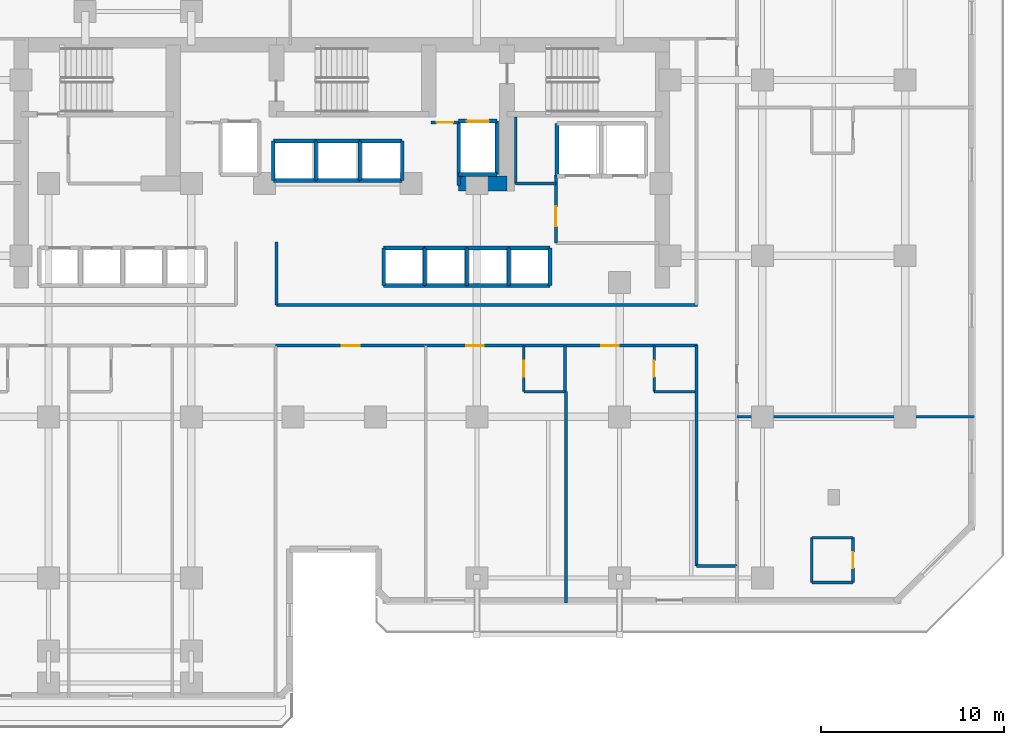
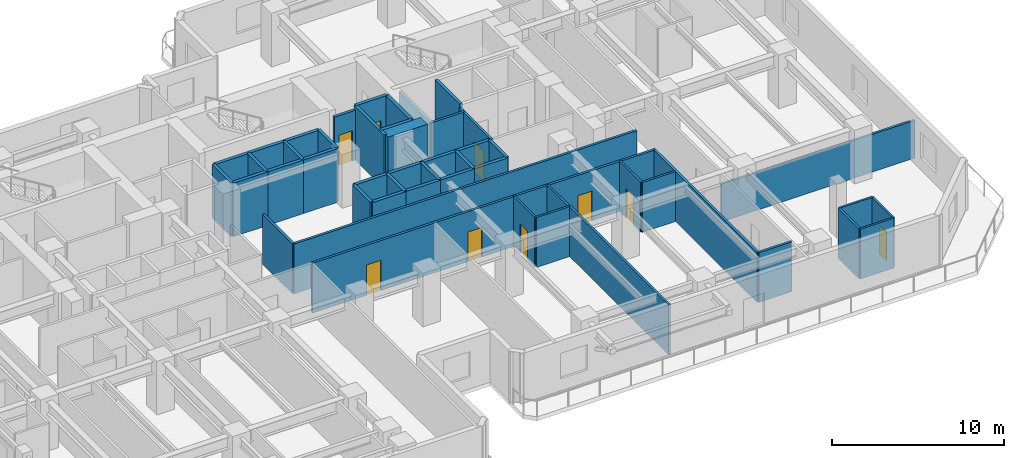
# One storey, part 8 of 12: 49 walls, 9 doors, 9 openings.
"""IFC4 building model written with IfcOpenShell, lengths in metres."""

from ifc_helpers import new_model, si_unit, direction, frame, frame_2d, origin, place, context, subcontext, project, spatial, rectangle, extrude, material, layer, layer_set, type_object, element, fill, save


model = new_model("IFC4")

# Units and contexts
model_context = context("Model", 3, precision=1e-05, world=origin(), true_north=direction((0.0, 1.0)))
body_context = subcontext(model_context, "Body", "Model", "MODEL_VIEW")
ifc_project = project(units=[si_unit("LENGTHUNIT", "METRE"), si_unit("AREAUNIT", "SQUARE_METRE"), si_unit("VOLUMEUNIT", "CUBIC_METRE"), si_unit("PLANEANGLEUNIT", "RADIAN"), si_unit("MASSUNIT", "GRAM", prefix="KILO")], contexts=[model_context])

# Site, building, storey
site_placement = place(None, origin())
site = spatial("IfcSite", under=ifc_project, at=site_placement, CompositionType="ELEMENT")
building_placement = place(site_placement, origin())
building = spatial("IfcBuilding", under=site, at=building_placement, Name="Kestravale Grand Hotel", CompositionType="ELEMENT")
storey_placement = place(building_placement, frame((0.0, 0.0, 80.39990234375)))
storey = spatial("IfcBuildingStorey", under=building, at=storey_placement, Name="L19", CompositionType="ELEMENT", Elevation=80.39990234375)

# Wall
ifc_material_1 = material(Name="Concrete f'c 60 MPa", Category="concrete")
ifc_layer_1 = layer(ifc_material_1, 0.800048828125)
ifc_layer_set_1 = layer_set([ifc_layer_1], Name="EW-CORE-800")
wall_type_1 = type_object("IfcWallType", Name="EW-CORE-800", PredefinedType="SHEAR", material=ifc_layer_set_1)
wall_1_placement = place(storey_placement, frame((45.81005859375, 32.75, 0.0), z_axis=(0.0, 0.0, 1.0), x_axis=(1.0, 0.0, 0.0)))
element("IfcWall", 1, at=wall_1_placement, inside=storey, type_object=wall_type_1, Name="L19 core shear wall S2", PredefinedType="SHEAR", context=body_context, shape_type="SweptSolid", body=[
    extrude(rectangle(XDim=2.639892578125, YDim=0.800048828125, at=frame_2d((1.31982421875, 0.0))), origin(), (0.0, 0.0, 1.0), 3.800048828125),
])

# Wall, opening, door
ifc_material_2 = material(Name="Acoustic fire-rated gypsum board partition", Category="other")
ifc_layer_2 = layer(ifc_material_2, 0.159912109375)
ifc_layer_set_2 = layer_set([ifc_layer_2], Name="IW-CORR-160")
wall_type_2 = type_object("IfcWallType", Name="IW-CORR-160", PredefinedType="PARTITIONING", material=ifc_layer_set_2)
wall_2_placement = place(storey_placement, frame((51.1201171875, 29.5, 0.0), z_axis=(0.0, 0.0, 1.0), x_axis=(0.0, 1.0, 0.0)))
wall_2 = element("IfcWall", 2, at=wall_2_placement, inside=storey, type_object=wall_type_2, Name="W-L19-SVCLOB-W", PredefinedType="PARTITIONING", context=body_context, shape_type="SweptSolid", body=[
    extrude(rectangle(XDim=3.699951171875, YDim=0.159912109375, at=frame_2d((1.85009765625, 0.0))), origin(), (0.0, 0.0, 1.0), 3.5400390625),
])
opening_1_placement = place(wall_2_placement, frame((0.89990234375, 0.0, 0.0)))
opening_1 = element("IfcOpeningElement", 3, at=opening_1_placement, cuts=wall_2, Name="Opening D-CORR-1100", PredefinedType="OPENING", context=body_context, shape_type="SweptSolid", body=[
    extrude(rectangle(XDim=1.10009765625, YDim=2.14990234375, at=frame_2d((0.550048828125, 1.074951171875))), frame((0.0, 0.08984375, 0.0), z_axis=(0.0, -1.0, 0.0), x_axis=(1.0, 0.0, 0.0)), (0.0, 0.0, 1.0), 0.179931640625),
])
ifc_material_3 = material(Name="Single-leaf service vestibule fire door", Category="steel")
door_type_1 = type_object("IfcDoorType", Name="D-CORR-1100", OperationType="NOTDEFINED", PredefinedType="DOOR", material=ifc_material_3)
door_1_placement = place(opening_1_placement, origin())
door_1 = element("IfcDoor", 4, at=door_1_placement, inside=storey, type_object=door_type_1, Name="L19 service lift lobby door", OperationType="SINGLE_SWING_LEFT", OverallHeight=2.14990234375, OverallWidth=1.10009765625, PredefinedType="DOOR", context=body_context, shape_type="SweptSolid", body=[
    extrude(rectangle(XDim=1.10009765625, YDim=2.14990234375, at=frame_2d((0.550048828125, 1.074951171875))), frame((0.0, 0.02490234375, 0.0), z_axis=(0.0, -1.0, 0.0), x_axis=(1.0, 0.0, 0.0)), (0.0, 0.0, 1.0), 0.050048828125),
])
fill(opening_1, door_1)

# Walls
wall_3_placement = place(storey_placement, frame((48.919921875, 32.75, 0.0), z_axis=(0.0, 0.0, 1.0), x_axis=(1.0, 0.0, 0.0)))
element("IfcWall", 5, at=wall_3_placement, inside=storey, type_object=wall_type_2, Name="W-L19-CES", PredefinedType="PARTITIONING", context=body_context, shape_type="SweptSolid", body=[
    extrude(rectangle(XDim=2.2001953125, YDim=0.159912109375, at=frame_2d((1.10009765625, 0.0))), origin(), (0.0, 0.0, 1.0), 3.5400390625),
])
wall_4_placement = place(storey_placement, frame((35.85009765625, 26.110107421875, 0.0), z_axis=(0.0, 0.0, 1.0), x_axis=(1.0, 0.0, 0.0)))
element("IfcWall", 6, at=wall_4_placement, inside=storey, type_object=wall_type_2, Name="W-L19-CE-N", PredefinedType="PARTITIONING", context=body_context, shape_type="SweptSolid", body=[
    extrude(rectangle(XDim=23.0, YDim=0.159912109375, at=frame_2d((11.5, 0.0))), origin(), (0.0, 0.0, 1.0), 3.5400390625),
])
wall_5_placement = place(storey_placement, frame((35.85009765625, 26.110107421875, 0.0), z_axis=(0.0, 0.0, 1.0), x_axis=(0.0, 1.0, 0.0)))
element("IfcWall", 7, at=wall_5_placement, inside=storey, type_object=wall_type_2, Name="W-L19-TRUNK-E", PredefinedType="PARTITIONING", context=body_context, shape_type="SweptSolid", body=[
    extrude(rectangle(XDim=3.43994140625, YDim=0.159912109375, at=frame_2d((1.719970703125, 0.0))), origin(), (0.0, 0.0, 1.0), 3.5400390625),
])

# Wall, openings, doors
wall_6_placement = place(storey_placement, frame((35.800048828125, 23.889892578125, 0.0), z_axis=(0.0, 0.0, 1.0), x_axis=(1.0, 0.0, 0.0)))
wall_6 = element("IfcWall", 8, at=wall_6_placement, inside=storey, type_object=wall_type_2, Name="W-L19-CE-S", PredefinedType="PARTITIONING", context=body_context, shape_type="SweptSolid", body=[
    extrude(rectangle(XDim=23.050048828125, YDim=0.159912109375, at=frame_2d((11.52490234375, 0.0))), origin(), (0.0, 0.0, 1.0), 3.5400390625),
])
opening_2_placement = place(wall_6_placement, frame((3.606689453125, 0.0, 0.0)))
opening_2 = element("IfcOpeningElement", 9, at=opening_2_placement, cuts=wall_6, Name="Opening D-GUEST-1000", PredefinedType="OPENING", context=body_context, shape_type="SweptSolid", body=[
    extrude(rectangle(XDim=1.0, YDim=2.14990234375, at=frame_2d((0.5, 1.074951171875))), frame((0.0, 0.08984375, 0.0), z_axis=(0.0, -1.0, 0.0), x_axis=(1.0, 0.0, 0.0)), (0.0, 0.0, 1.0), 0.179931640625),
])
opening_3_placement = place(wall_6_placement, frame((10.4150390625, 0.0, 0.0)))
opening_3 = element("IfcOpeningElement", 10, at=opening_3_placement, cuts=wall_6, Name="Opening D-GUEST-950", PredefinedType="OPENING", context=body_context, shape_type="SweptSolid", body=[
    extrude(rectangle(XDim=0.949951171875, YDim=2.10009765625, at=frame_2d((0.47509765625, 1.050048828125))), frame((0.0, 0.08984375, 0.0), z_axis=(0.0, -1.0, 0.0), x_axis=(1.0, 0.0, 0.0)), (0.0, 0.0, 1.0), 0.179931640625),
])
opening_4_placement = place(wall_6_placement, frame((17.803466796875, 0.0, 0.0)))
opening_4 = element("IfcOpeningElement", 11, at=opening_4_placement, cuts=wall_6, Name="Opening D-GUEST-950", PredefinedType="OPENING", context=body_context, shape_type="SweptSolid", body=[
    extrude(rectangle(XDim=0.949951171875, YDim=2.10009765625, at=frame_2d((0.47509765625, 1.050048828125))), frame((0.0, 0.08984375, 0.0), z_axis=(0.0, -1.0, 0.0), x_axis=(1.0, 0.0, 0.0)), (0.0, 0.0, 1.0), 0.179931640625),
])
ifc_material_4 = material(Name="Accessible walnut veneer hotel entrance fire door", Category="wood")
door_type_2 = type_object("IfcDoorType", Name="D-GUEST-1000", OperationType="NOTDEFINED", PredefinedType="DOOR", material=ifc_material_4)
door_2_placement = place(opening_2_placement, origin())
door_2 = element("IfcDoor", 12, at=door_2_placement, inside=storey, type_object=door_type_2, Name="D-L19-AME", OperationType="SINGLE_SWING_LEFT", OverallHeight=2.14990234375, OverallWidth=1.0, PredefinedType="DOOR", context=body_context, shape_type="SweptSolid", body=[
    extrude(rectangle(XDim=1.0, YDim=2.14990234375, at=frame_2d((0.5, 1.074951171875))), frame((0.0, 0.02490234375, 0.0), z_axis=(0.0, -1.0, 0.0), x_axis=(1.0, 0.0, 0.0)), (0.0, 0.0, 1.0), 0.050048828125),
])
fill(opening_2, door_2)
ifc_material_5 = material(Name="Walnut veneer hotel guestroom entrance fire door", Category="wood")
door_type_3 = type_object("IfcDoorType", Name="D-GUEST-950", OperationType="NOTDEFINED", PredefinedType="DOOR", material=ifc_material_5)
door_3_placement = place(opening_3_placement, origin())
door_3 = element("IfcDoor", 13, at=door_3_placement, inside=storey, type_object=door_type_3, Name="D-L19-U03-ENT", OperationType="SINGLE_SWING_LEFT", OverallHeight=2.10009765625, OverallWidth=0.949951171875, PredefinedType="DOOR", context=body_context, shape_type="SweptSolid", body=[
    extrude(rectangle(XDim=0.949951171875, YDim=2.10009765625, at=frame_2d((0.47509765625, 1.050048828125))), frame((0.0, 0.02490234375, 0.0), z_axis=(0.0, -1.0, 0.0), x_axis=(1.0, 0.0, 0.0)), (0.0, 0.0, 1.0), 0.050048828125),
])
fill(opening_3, door_3)
door_4_placement = place(opening_4_placement, origin())
door_4 = element("IfcDoor", 14, at=door_4_placement, inside=storey, type_object=door_type_3, Name="D-L19-U04-ENT", OperationType="SINGLE_SWING_LEFT", OverallHeight=2.10009765625, OverallWidth=0.949951171875, PredefinedType="DOOR", context=body_context, shape_type="SweptSolid", body=[
    extrude(rectangle(XDim=0.949951171875, YDim=2.10009765625, at=frame_2d((0.47509765625, 1.050048828125))), frame((0.0, 0.02490234375, 0.0), z_axis=(0.0, -1.0, 0.0), x_axis=(1.0, 0.0, 0.0)), (0.0, 0.0, 1.0), 0.050048828125),
])
fill(opening_4, door_4)

# Wall
wall_7_placement = place(storey_placement, frame((58.7900390625, 11.85009765625, 0.0), z_axis=(0.0, 0.0, 1.0), x_axis=(0.0, 1.0, 0.0)))
element("IfcWall", 15, at=wall_7_placement, inside=storey, type_object=wall_type_2, Name="W-L19-SE-W", PredefinedType="PARTITIONING", context=body_context, shape_type="SweptSolid", body=[
    extrude(rectangle(XDim=12.039794921875, YDim=0.159912109375, at=frame_2d((6.02001953125, 0.0))), origin(), (0.0, 0.0, 1.0), 3.5400390625),
])

# Wall, opening, door
ifc_material_6 = material(Name="Fire-rated gypsum board on steel studs with mineral wool", Category="steel")
ifc_layer_3 = layer(ifc_material_6, 0.179931640625)
ifc_layer_set_3 = layer_set([ifc_layer_3], Name="IW-FSAE-180")
wall_type_3 = type_object("IfcWallType", Name="IW-FSAE-180", PredefinedType="PARTITIONING", material=ifc_layer_set_3)
wall_8_placement = place(storey_placement, frame((44.300048828125, 36.080078125, 0.0), z_axis=(0.0, 0.0, 1.0), x_axis=(1.0, 0.0, 0.0)))
wall_8 = element("IfcWall", 16, at=wall_8_placement, inside=storey, type_object=wall_type_3, Name="L19 FSAE Lobby 2 smoke barrier", PredefinedType="PARTITIONING", context=body_context, shape_type="SweptSolid", body=[
    extrude(rectangle(XDim=1.5, YDim=0.179931640625, at=frame_2d((0.75, 0.0))), origin(), (0.0, 0.0, 1.0), 3.5400390625),
])
opening_5_placement = place(wall_8_placement, frame((0.300048828125, 0.0, 0.0)))
opening_5 = element("IfcOpeningElement", 17, at=opening_5_placement, cuts=wall_8, Name="Opening D-FSAE-1000", PredefinedType="OPENING", context=body_context, shape_type="SweptSolid", body=[
    extrude(rectangle(XDim=0.89990234375, YDim=2.14990234375, at=frame_2d((0.449951171875, 1.074951171875))), frame((0.0, 0.099853515625, 0.0), z_axis=(0.0, -1.0, 0.0), x_axis=(1.0, 0.0, 0.0)), (0.0, 0.0, 1.0), 0.199951171875),
])
ifc_material_7 = material(Name="Smoke-gasketed FSAE lobby fire door", Category="steel")
door_type_4 = type_object("IfcDoorType", Name="D-FSAE-1000", OperationType="NOTDEFINED", PredefinedType="DOOR", material=ifc_material_7)
door_5_placement = place(opening_5_placement, origin())
door_5 = element("IfcDoor", 18, at=door_5_placement, inside=storey, type_object=door_type_4, Name="L19 FSAE Lobby 2 fire door", OperationType="SINGLE_SWING_LEFT", OverallHeight=2.14990234375, OverallWidth=0.89990234375, PredefinedType="DOOR", context=body_context, shape_type="SweptSolid", body=[
    extrude(rectangle(XDim=0.89990234375, YDim=2.14990234375, at=frame_2d((0.449951171875, 1.074951171875))), frame((0.0, 0.02490234375, 0.0), z_axis=(0.0, -1.0, 0.0), x_axis=(1.0, 0.0, 0.0)), (0.0, 0.0, 1.0), 0.050048828125),
])
fill(opening_5, door_5)

ifc_material_8 = material(Name="Moisture-resistant tile-backer plumbing chase wall", Category="other")
ifc_layer_4 = layer(ifc_material_8, 0.139892578125)
ifc_layer_set_4 = layer_set([ifc_layer_4], Name="IW-PLB-140")
wall_type_4 = type_object("IfcWallType", Name="IW-PLB-140", PredefinedType="PLUMBINGWALL", material=ifc_layer_set_4)
wall_9_placement = place(storey_placement, frame((49.36669921875, 21.3798828125, 0.0), z_axis=(0.0, 0.0, 1.0), x_axis=(0.0, 1.0, 0.0)))
wall_9 = element("IfcWall", 19, at=wall_9_placement, inside=storey, type_object=wall_type_4, Name="W-L19-U03-BW", PredefinedType="PLUMBINGWALL", context=body_context, shape_type="SweptSolid", body=[
    extrude(rectangle(XDim=2.490234375, YDim=0.139892578125, at=frame_2d((1.2451171875, 0.0))), origin(), (0.0, 0.0, 1.0), 3.5400390625),
])
opening_6_placement = place(wall_9_placement, frame((0.804931640625, 0.0, 0.0)))
opening_6 = element("IfcOpeningElement", 20, at=opening_6_placement, cuts=wall_9, Name="Opening D-BATH-880", PredefinedType="OPENING", context=body_context, shape_type="SweptSolid", body=[
    extrude(rectangle(XDim=0.8798828125, YDim=2.050048828125, at=frame_2d((0.43994140625, 1.02490234375))), frame((0.0, 0.079833984375, 0.0), z_axis=(0.0, -1.0, 0.0), x_axis=(1.0, 0.0, 0.0)), (0.0, 0.0, 1.0), 0.159912109375),
])
ifc_material_9 = material(Name="Moisture-sealed walnut en-suite bathroom door", Category="wood")
door_type_5 = type_object("IfcDoorType", Name="D-BATH-880", OperationType="NOTDEFINED", PredefinedType="DOOR", material=ifc_material_9)
door_6_placement = place(opening_6_placement, origin())
door_6 = element("IfcDoor", 21, at=door_6_placement, inside=storey, type_object=door_type_5, Name="D-L19-U03-BATH", OperationType="SINGLE_SWING_RIGHT", OverallHeight=2.050048828125, OverallWidth=0.8798828125, PredefinedType="DOOR", context=body_context, shape_type="SweptSolid", body=[
    extrude(rectangle(XDim=0.8798828125, YDim=2.050048828125, at=frame_2d((0.43994140625, 1.02490234375))), frame((0.0, 0.02490234375, 0.0), z_axis=(0.0, -1.0, 0.0), x_axis=(1.0, 0.0, 0.0)), (0.0, 0.0, 1.0), 0.050048828125),
])
fill(opening_6, door_6)

# Walls
wall_10_placement = place(storey_placement, frame((51.61669921875, 21.3798828125, 0.0), z_axis=(0.0, 0.0, 1.0), x_axis=(0.0, 1.0, 0.0)))
element("IfcWall", 22, at=wall_10_placement, inside=storey, type_object=wall_type_4, Name="W-L19-U03-BE", PredefinedType="PLUMBINGWALL", context=body_context, shape_type="SweptSolid", body=[
    extrude(rectangle(XDim=2.490234375, YDim=0.139892578125, at=frame_2d((1.2451171875, 0.0))), origin(), (0.0, 0.0, 1.0), 3.5400390625),
])
wall_11_placement = place(storey_placement, frame((49.36669921875, 21.3798828125, 0.0), z_axis=(0.0, 0.0, 1.0), x_axis=(1.0, 0.0, 0.0)))
element("IfcWall", 23, at=wall_11_placement, inside=storey, type_object=wall_type_4, Name="W-L19-U03-BS", PredefinedType="PLUMBINGWALL", context=body_context, shape_type="SweptSolid", body=[
    extrude(rectangle(XDim=2.25, YDim=0.139892578125, at=frame_2d((1.125, 0.0))), origin(), (0.0, 0.0, 1.0), 3.5400390625),
])

# Wall, opening, door
wall_12_placement = place(storey_placement, frame((56.47998046875, 21.3798828125, 0.0), z_axis=(0.0, 0.0, 1.0), x_axis=(0.0, 1.0, 0.0)))
wall_12 = element("IfcWall", 24, at=wall_12_placement, inside=storey, type_object=wall_type_4, Name="W-L19-U04-BW", PredefinedType="PLUMBINGWALL", context=body_context, shape_type="SweptSolid", body=[
    extrude(rectangle(XDim=2.490234375, YDim=0.139892578125, at=frame_2d((1.2451171875, 0.0))), origin(), (0.0, 0.0, 1.0), 3.5400390625),
])
opening_7_placement = place(wall_12_placement, frame((0.804931640625, 0.0, 0.0)))
opening_7 = element("IfcOpeningElement", 25, at=opening_7_placement, cuts=wall_12, Name="Opening D-BATH-880", PredefinedType="OPENING", context=body_context, shape_type="SweptSolid", body=[
    extrude(rectangle(XDim=0.8798828125, YDim=2.050048828125, at=frame_2d((0.43994140625, 1.02490234375))), frame((0.0, 0.079833984375, 0.0), z_axis=(0.0, -1.0, 0.0), x_axis=(1.0, 0.0, 0.0)), (0.0, 0.0, 1.0), 0.159912109375),
])
door_7_placement = place(opening_7_placement, origin())
door_7 = element("IfcDoor", 26, at=door_7_placement, inside=storey, type_object=door_type_5, Name="D-L19-U04-BATH", OperationType="SINGLE_SWING_RIGHT", OverallHeight=2.050048828125, OverallWidth=0.8798828125, PredefinedType="DOOR", context=body_context, shape_type="SweptSolid", body=[
    extrude(rectangle(XDim=0.8798828125, YDim=2.050048828125, at=frame_2d((0.43994140625, 1.02490234375))), frame((0.0, 0.02490234375, 0.0), z_axis=(0.0, -1.0, 0.0), x_axis=(1.0, 0.0, 0.0)), (0.0, 0.0, 1.0), 0.050048828125),
])
fill(opening_7, door_7)

# Walls
wall_13_placement = place(storey_placement, frame((56.47998046875, 21.3798828125, 0.0), z_axis=(0.0, 0.0, 1.0), x_axis=(1.0, 0.0, 0.0)))
element("IfcWall", 27, at=wall_13_placement, inside=storey, type_object=wall_type_4, Name="W-L19-U04-BS", PredefinedType="PLUMBINGWALL", context=body_context, shape_type="SweptSolid", body=[
    extrude(rectangle(XDim=2.25, YDim=0.139892578125, at=frame_2d((1.125, 0.0))), origin(), (0.0, 0.0, 1.0), 3.5400390625),
])
wall_14_placement = place(storey_placement, frame((65.10009765625, 10.949951171875, 0.0), z_axis=(0.0, 0.0, 1.0), x_axis=(0.0, 1.0, 0.0)))
element("IfcWall", 28, at=wall_14_placement, inside=storey, type_object=wall_type_4, Name="W-L19-U09-BW", PredefinedType="PLUMBINGWALL", context=body_context, shape_type="SweptSolid", body=[
    extrude(rectangle(XDim=2.449951171875, YDim=0.139892578125, at=frame_2d((1.22509765625, 0.0))), origin(), (0.0, 0.0, 1.0), 3.5400390625),
])

# Wall, opening, door
wall_15_placement = place(storey_placement, frame((67.35009765625, 10.949951171875, 0.0), z_axis=(0.0, 0.0, 1.0), x_axis=(0.0, 1.0, 0.0)))
wall_15 = element("IfcWall", 29, at=wall_15_placement, inside=storey, type_object=wall_type_4, Name="W-L19-U09-BE", PredefinedType="PLUMBINGWALL", context=body_context, shape_type="SweptSolid", body=[
    extrude(rectangle(XDim=2.449951171875, YDim=0.139892578125, at=frame_2d((1.22509765625, 0.0))), origin(), (0.0, 0.0, 1.0), 3.5400390625),
])
opening_8_placement = place(wall_15_placement, frame((0.784912109375, 0.0, 0.0)))
opening_8 = element("IfcOpeningElement", 30, at=opening_8_placement, cuts=wall_15, Name="Opening D-BATH-880", PredefinedType="OPENING", context=body_context, shape_type="SweptSolid", body=[
    extrude(rectangle(XDim=0.8798828125, YDim=2.050048828125, at=frame_2d((0.43994140625, 1.02490234375))), frame((0.0, 0.079833984375, 0.0), z_axis=(0.0, -1.0, 0.0), x_axis=(1.0, 0.0, 0.0)), (0.0, 0.0, 1.0), 0.159912109375),
])
door_8_placement = place(opening_8_placement, origin())
door_8 = element("IfcDoor", 31, at=door_8_placement, inside=storey, type_object=door_type_5, Name="D-L19-U09-BATH", OperationType="SINGLE_SWING_LEFT", OverallHeight=2.050048828125, OverallWidth=0.8798828125, PredefinedType="DOOR", context=body_context, shape_type="SweptSolid", body=[
    extrude(rectangle(XDim=0.8798828125, YDim=2.050048828125, at=frame_2d((0.43994140625, 1.02490234375))), frame((0.0, 0.02490234375, 0.0), z_axis=(0.0, -1.0, 0.0), x_axis=(1.0, 0.0, 0.0)), (0.0, 0.0, 1.0), 0.050048828125),
])
fill(opening_8, door_8)

# Walls
for number, where, z_axis, x_axis, name in (
    (32, (65.10009765625, 10.949951171875, 0.0), (0.0, 0.0, 1.0), (1.0, 0.0, 0.0), "W-L19-U09-BS"),
    (33, (65.10009765625, 13.39990234375, 0.0), (0.0, 0.0, 1.0), (1.0, 0.0, 0.0), "W-L19-U09-BN"),
):
    element("IfcWall", number, at=place(storey_placement, frame(where, z_axis=z_axis, x_axis=x_axis)), inside=storey, type_object=wall_type_4, Name=name, PredefinedType="PLUMBINGWALL", context=body_context, shape_type="SweptSolid", body=[
        extrude(rectangle(XDim=2.25, YDim=0.139892578125, at=frame_2d((1.125, 0.0))), origin(), (0.0, 0.0, 1.0), 3.5400390625),
    ])
ifc_material_10 = material(Name="Concrete f'c 45 MPa", Category="concrete")
ifc_layer_5 = layer(ifc_material_10, 0.199951171875)
ifc_layer_set_5 = layer_set([ifc_layer_5], Name="IW-SHAFT-200")
wall_type_5 = type_object("IfcWallType", Name="IW-SHAFT-200", PredefinedType="SHEAR", material=ifc_layer_set_5)
for number, where, z_axis, x_axis, name in (
    (34, (41.705078125, 27.169921875, 0.0), (0.0, 0.0, 1.0), (0.0, 1.0, 0.0), "L19 PL-M1 west shaft wall"),
    (35, (43.949951171875, 27.169921875, 0.0), (0.0, 0.0, 1.0), (0.0, 1.0, 0.0), "L19 PL-M2 west shaft wall"),
    (36, (46.25, 27.169921875, 0.0), (0.0, 0.0, 1.0), (0.0, 1.0, 0.0), "L19 PL-M3 west shaft wall"),
    (37, (48.550048828125, 27.169921875, 0.0), (0.0, 0.0, 1.0), (0.0, 1.0, 0.0), "L19 PL-M4 west shaft wall"),
    (38, (50.794921875, 27.169921875, 0.0), (0.0, 0.0, 1.0), (0.0, 1.0, 0.0), "L19 PL-M4 east shaft wall"),
):
    element("IfcWall", number, at=place(storey_placement, frame(where, z_axis=z_axis, x_axis=x_axis)), inside=storey, type_object=wall_type_5, Name=name, PredefinedType="SHEAR", context=body_context, shape_type="SweptSolid", body=[
        extrude(rectangle(XDim=2.06005859375, YDim=0.199951171875, at=frame_2d((1.030029296875, 0.0))), origin(), (0.0, 0.0, 1.0), 3.800048828125),
    ])
for number, where, z_axis, x_axis, name in (
    (39, (35.679931640625, 32.919921875, 0.0), (0.0, 0.0, 1.0), (0.0, 1.0, 0.0), "L19 PL-X1 west shaft wall"),
    (40, (38.0, 32.919921875, 0.0), (0.0, 0.0, 1.0), (0.0, 1.0, 0.0), "L19 PL-X2 west shaft wall"),
    (41, (40.39990234375, 32.919921875, 0.0), (0.0, 0.0, 1.0), (0.0, 1.0, 0.0), "L19 PL-X3 west shaft wall"),
    (42, (42.719970703125, 32.919921875, 0.0), (0.0, 0.0, 1.0), (0.0, 1.0, 0.0), "L19 PL-X3 east shaft wall"),
):
    element("IfcWall", number, at=place(storey_placement, frame(where, z_axis=z_axis, x_axis=x_axis)), inside=storey, type_object=wall_type_5, Name=name, PredefinedType="SHEAR", context=body_context, shape_type="SweptSolid", body=[
        extrude(rectangle(XDim=2.16015625, YDim=0.199951171875, at=frame_2d((1.080078125, 0.0))), origin(), (0.0, 0.0, 1.0), 3.800048828125),
    ])
wall_16_placement = place(storey_placement, frame((51.179931640625, 33.169921875, 0.0), z_axis=(0.0, 0.0, 1.0), x_axis=(0.0, 1.0, 0.0)))
element("IfcWall", 43, at=wall_16_placement, inside=storey, type_object=wall_type_5, Name="L19 SL-1 west shaft wall", PredefinedType="SHEAR", context=body_context, shape_type="SweptSolid", body=[
    extrude(rectangle(XDim=2.860107421875, YDim=0.199951171875, at=frame_2d((1.43017578125, 0.0))), origin(), (0.0, 0.0, 1.0), 3.800048828125),
])
wall_17_placement = place(storey_placement, frame((45.804931640625, 32.64990234375, 0.0), z_axis=(0.0, 0.0, 1.0), x_axis=(0.0, 1.0, 0.0)))
element("IfcWall", 44, at=wall_17_placement, inside=storey, type_object=wall_type_5, Name="L19 FL-2 west shaft wall", PredefinedType="SHEAR", context=body_context, shape_type="SweptSolid", body=[
    extrude(rectangle(XDim=3.505126953125, YDim=0.199951171875, at=frame_2d((1.75244140625, 0.0))), origin(), (0.0, 0.0, 1.0), 3.800048828125),
])
wall_18_placement = place(storey_placement, frame((47.89501953125, 33.2451171875, 0.0), z_axis=(0.0, 0.0, 1.0), x_axis=(0.0, 1.0, 0.0)))
element("IfcWall", 45, at=wall_18_placement, inside=storey, type_object=wall_type_5, Name="L19 FL-2 east shaft wall", PredefinedType="SHEAR", context=body_context, shape_type="SweptSolid", body=[
    extrude(rectangle(XDim=2.909912109375, YDim=0.199951171875, at=frame_2d((1.455078125, 0.0))), origin(), (0.0, 0.0, 1.0), 3.800048828125),
])
ifc_material_11 = material(Name="Concrete f'c 45 MPa", Category="concrete")
ifc_layer_6 = layer(ifc_material_11, 0.219970703125)
ifc_layer_set_6 = layer_set([ifc_layer_6], Name="IW-SHAFT-220")
wall_type_6 = type_object("IfcWallType", Name="IW-SHAFT-220", PredefinedType="SHEAR", material=ifc_layer_set_6)
for number, where, z_axis, x_axis, name in (
    (46, (41.705078125, 29.22998046875, 0.0), (0.0, 0.0, 1.0), (1.0, 0.0, 0.0), "L19 PL-M1 north shaft wall"),
    (47, (41.705078125, 27.169921875, 0.0), (0.0, 0.0, 1.0), (1.0, 0.0, 0.0), "L19 PL-M1 south shaft wall"),
):
    element("IfcWall", number, at=place(storey_placement, frame(where, z_axis=z_axis, x_axis=x_axis)), inside=storey, type_object=wall_type_6, Name=name, PredefinedType="SHEAR", context=body_context, shape_type="SweptSolid", body=[
        extrude(rectangle(XDim=2.244873046875, YDim=0.219970703125, at=frame_2d((1.12255859375, 0.0))), origin(), (0.0, 0.0, 1.0), 3.800048828125),
    ])
for number, where, z_axis, x_axis, name in (
    (48, (43.949951171875, 29.22998046875, 0.0), (0.0, 0.0, 1.0), (1.0, 0.0, 0.0), "L19 PL-M2 north shaft wall"),
    (49, (43.949951171875, 27.169921875, 0.0), (0.0, 0.0, 1.0), (1.0, 0.0, 0.0), "L19 PL-M2 south shaft wall"),
    (50, (46.25, 29.22998046875, 0.0), (0.0, 0.0, 1.0), (1.0, 0.0, 0.0), "L19 PL-M3 north shaft wall"),
    (51, (46.25, 27.169921875, 0.0), (0.0, 0.0, 1.0), (1.0, 0.0, 0.0), "L19 PL-M3 south shaft wall"),
):
    element("IfcWall", number, at=place(storey_placement, frame(where, z_axis=z_axis, x_axis=x_axis)), inside=storey, type_object=wall_type_6, Name=name, PredefinedType="SHEAR", context=body_context, shape_type="SweptSolid", body=[
        extrude(rectangle(XDim=2.300048828125, YDim=0.219970703125, at=frame_2d((1.14990234375, 0.0))), origin(), (0.0, 0.0, 1.0), 3.800048828125),
    ])
for number, where, z_axis, x_axis, name in (
    (52, (48.550048828125, 29.22998046875, 0.0), (0.0, 0.0, 1.0), (1.0, 0.0, 0.0), "L19 PL-M4 north shaft wall"),
    (53, (48.550048828125, 27.169921875, 0.0), (0.0, 0.0, 1.0), (1.0, 0.0, 0.0), "L19 PL-M4 south shaft wall"),
):
    element("IfcWall", number, at=place(storey_placement, frame(where, z_axis=z_axis, x_axis=x_axis)), inside=storey, type_object=wall_type_6, Name=name, PredefinedType="SHEAR", context=body_context, shape_type="SweptSolid", body=[
        extrude(rectangle(XDim=2.244873046875, YDim=0.219970703125, at=frame_2d((1.12255859375, 0.0))), origin(), (0.0, 0.0, 1.0), 3.800048828125),
    ])
for number, where, z_axis, x_axis, name in (
    (54, (35.679931640625, 35.080078125, 0.0), (0.0, 0.0, 1.0), (1.0, 0.0, 0.0), "L19 PL-X1 north shaft wall"),
    (55, (35.679931640625, 32.919921875, 0.0), (0.0, 0.0, 1.0), (1.0, 0.0, 0.0), "L19 PL-X1 south shaft wall"),
):
    element("IfcWall", number, at=place(storey_placement, frame(where, z_axis=z_axis, x_axis=x_axis)), inside=storey, type_object=wall_type_6, Name=name, PredefinedType="SHEAR", context=body_context, shape_type="SweptSolid", body=[
        extrude(rectangle(XDim=2.320068359375, YDim=0.219970703125, at=frame_2d((1.16015625, 0.0))), origin(), (0.0, 0.0, 1.0), 3.800048828125),
    ])
for number, where, z_axis, x_axis, name in (
    (56, (38.0, 35.080078125, 0.0), (0.0, 0.0, 1.0), (1.0, 0.0, 0.0), "L19 PL-X2 north shaft wall"),
    (57, (38.0, 32.919921875, 0.0), (0.0, 0.0, 1.0), (1.0, 0.0, 0.0), "L19 PL-X2 south shaft wall"),
):
    element("IfcWall", number, at=place(storey_placement, frame(where, z_axis=z_axis, x_axis=x_axis)), inside=storey, type_object=wall_type_6, Name=name, PredefinedType="SHEAR", context=body_context, shape_type="SweptSolid", body=[
        extrude(rectangle(XDim=2.39990234375, YDim=0.219970703125, at=frame_2d((1.199951171875, 0.0))), origin(), (0.0, 0.0, 1.0), 3.800048828125),
    ])
for number, where, z_axis, x_axis, name in (
    (58, (40.39990234375, 35.080078125, 0.0), (0.0, 0.0, 1.0), (1.0, 0.0, 0.0), "L19 PL-X3 north shaft wall"),
    (59, (40.39990234375, 32.919921875, 0.0), (0.0, 0.0, 1.0), (1.0, 0.0, 0.0), "L19 PL-X3 south shaft wall"),
):
    element("IfcWall", number, at=place(storey_placement, frame(where, z_axis=z_axis, x_axis=x_axis)), inside=storey, type_object=wall_type_6, Name=name, PredefinedType="SHEAR", context=body_context, shape_type="SweptSolid", body=[
        extrude(rectangle(XDim=2.320068359375, YDim=0.219970703125, at=frame_2d((1.16015625, 0.0))), origin(), (0.0, 0.0, 1.0), 3.800048828125),
    ])

# Wall, opening, door
wall_19_placement = place(storey_placement, frame((45.804931640625, 36.155029296875, 0.0), z_axis=(0.0, 0.0, 1.0), x_axis=(1.0, 0.0, 0.0)))
wall_19 = element("IfcWall", 60, at=wall_19_placement, inside=storey, type_object=wall_type_6, Name="L19 FL-2 north shaft wall", PredefinedType="SHEAR", context=body_context, shape_type="SweptSolid", body=[
    extrude(rectangle(XDim=2.090087890625, YDim=0.219970703125, at=frame_2d((1.044921875, 0.0))), origin(), (0.0, 0.0, 1.0), 3.800048828125),
])
opening_9_placement = place(wall_19_placement, frame((0.445068359375, 0.0, 0.0)))
opening_9 = element("IfcOpeningElement", 61, at=opening_9_placement, cuts=wall_19, Name="Opening LD-FSAE-1200", PredefinedType="OPENING", context=body_context, shape_type="SweptSolid", body=[
    extrude(rectangle(XDim=1.199951171875, YDim=2.14990234375, at=frame_2d((0.60009765625, 1.074951171875))), frame((0.0, 0.119873046875, 0.0), z_axis=(0.0, -1.0, 0.0), x_axis=(1.0, 0.0, 0.0)), (0.0, 0.0, 1.0), 0.239990234375),
])
ifc_material_12 = material(Name="Stainless fire-service sliding elevator landing door", Category="steel")
door_type_6 = type_object("IfcDoorType", Name="LD-FSAE-1200", OperationType="NOTDEFINED", PredefinedType="DOOR", material=ifc_material_12)
door_9_placement = place(opening_9_placement, origin())
door_9 = element("IfcDoor", 62, at=door_9_placement, inside=storey, type_object=door_type_6, Name="L19 FL-2 elevator landing sliding door", OperationType="DOUBLE_DOOR_SLIDING", OverallHeight=2.14990234375, OverallWidth=1.199951171875, PredefinedType="DOOR", context=body_context, shape_type="SweptSolid", body=[
    extrude(rectangle(XDim=1.199951171875, YDim=2.14990234375, at=frame_2d((0.60009765625, 1.074951171875))), frame((0.0, 0.02490234375, 0.0), z_axis=(0.0, -1.0, 0.0), x_axis=(1.0, 0.0, 0.0)), (0.0, 0.0, 1.0), 0.050048828125),
])
fill(opening_9, door_9)

# Walls
wall_20_placement = place(storey_placement, frame((45.804931640625, 33.2451171875, 0.0), z_axis=(0.0, 0.0, 1.0), x_axis=(1.0, 0.0, 0.0)))
element("IfcWall", 63, at=wall_20_placement, inside=storey, type_object=wall_type_6, Name="L19 FL-2 south shaft wall", PredefinedType="SHEAR", context=body_context, shape_type="SweptSolid", body=[
    extrude(rectangle(XDim=2.090087890625, YDim=0.219970703125, at=frame_2d((1.044921875, 0.0))), origin(), (0.0, 0.0, 1.0), 3.800048828125),
])
ifc_material_13 = material(Name="Double-stud STC 52 acoustic demising partition", Category="other")
ifc_layer_7 = layer(ifc_material_13, 0.14990234375)
ifc_layer_set_7 = layer_set([ifc_layer_7], Name="IW-UNIT-150")
wall_type_7 = type_object("IfcWallType", Name="IW-UNIT-150", PredefinedType="PARTITIONING", material=ifc_layer_set_7)
wall_21_placement = place(storey_placement, frame((48.919921875, 32.75, 0.0), z_axis=(0.0, 0.0, 1.0), x_axis=(0.0, 1.0, 0.0)))
element("IfcWall", 64, at=wall_21_placement, inside=storey, type_object=wall_type_7, Name="W-L19-CEW", PredefinedType="PARTITIONING", context=body_context, shape_type="SweptSolid", body=[
    extrude(rectangle(XDim=3.6201171875, YDim=0.14990234375, at=frame_2d((1.81005859375, 0.0))), origin(), (0.0, 0.0, 1.0), 3.5400390625),
])
wall_22_placement = place(storey_placement, frame((58.7900390625, 11.85009765625, 0.0), z_axis=(0.0, 0.0, 1.0), x_axis=(1.0, 0.0, 0.0)))
element("IfcWall", 65, at=wall_22_placement, inside=storey, type_object=wall_type_7, Name="W-L19-SE-S", PredefinedType="PARTITIONING", context=body_context, shape_type="SweptSolid", body=[
    extrude(rectangle(XDim=2.219970703125, YDim=0.14990234375, at=frame_2d((1.10986328125, 0.0))), origin(), (0.0, 0.0, 1.0), 3.5400390625),
])
wall_23_placement = place(storey_placement, frame((51.6767578125, 9.820068359375, 0.0), z_axis=(0.0, 0.0, 1.0), x_axis=(0.0, 1.0, 0.0)))
element("IfcWall", 66, at=wall_23_placement, inside=storey, type_object=wall_type_7, Name="W-L19-ES-2", PredefinedType="PARTITIONING", context=body_context, shape_type="SweptSolid", body=[
    extrude(rectangle(XDim=11.559814453125, YDim=0.14990234375, at=frame_2d((5.77978515625, 0.0))), origin(), (0.0, 0.0, 1.0), 3.5400390625),
])
wall_24_placement = place(storey_placement, frame((61.010009765625, 20.0, 0.0), z_axis=(0.0, 0.0, 1.0), x_axis=(1.0, 0.0, 0.0)))
element("IfcWall", 67, at=wall_24_placement, inside=storey, type_object=wall_type_7, Name="W-L19-EW-1", PredefinedType="PARTITIONING", context=body_context, shape_type="SweptSolid", body=[
    extrude(rectangle(XDim=12.969970703125, YDim=0.14990234375, at=frame_2d((6.48486328125, 0.0))), origin(), (0.0, 0.0, 1.0), 2.67919921875),
])

save(model, "model.ifc")
